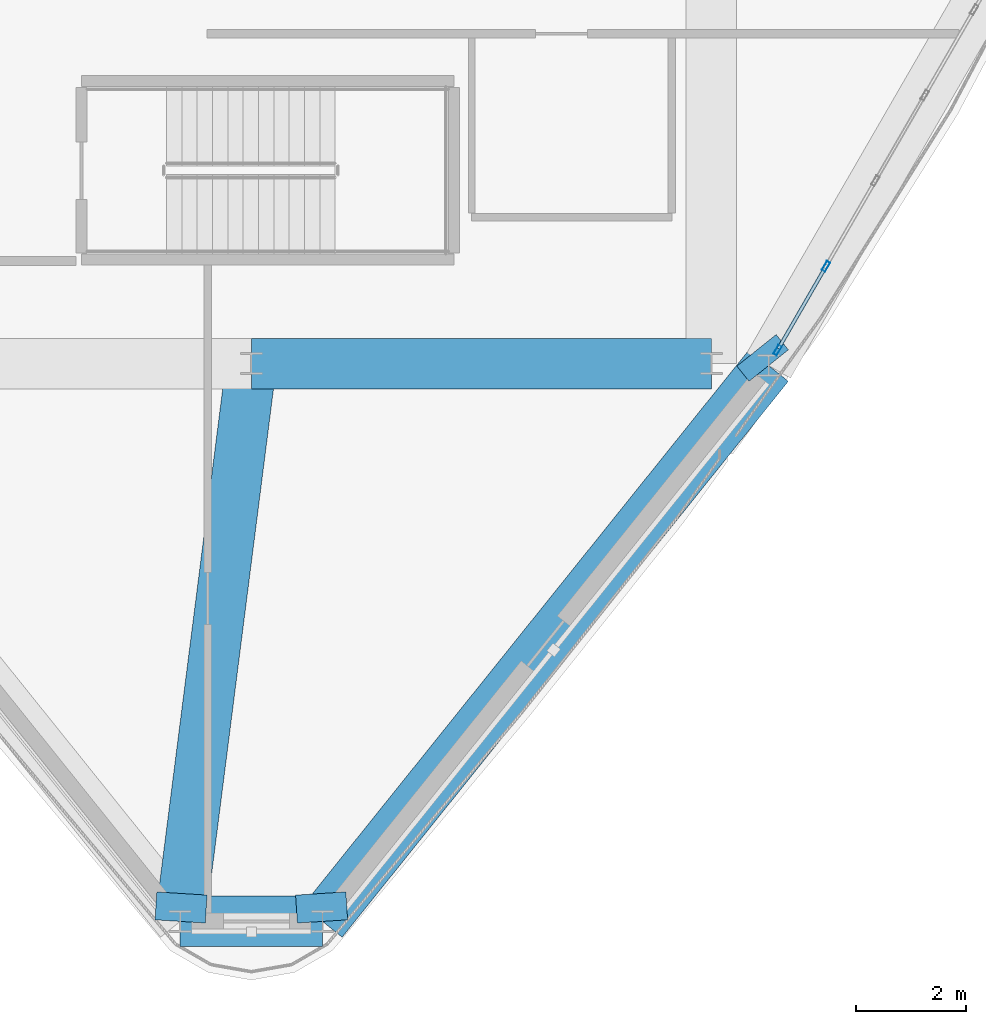
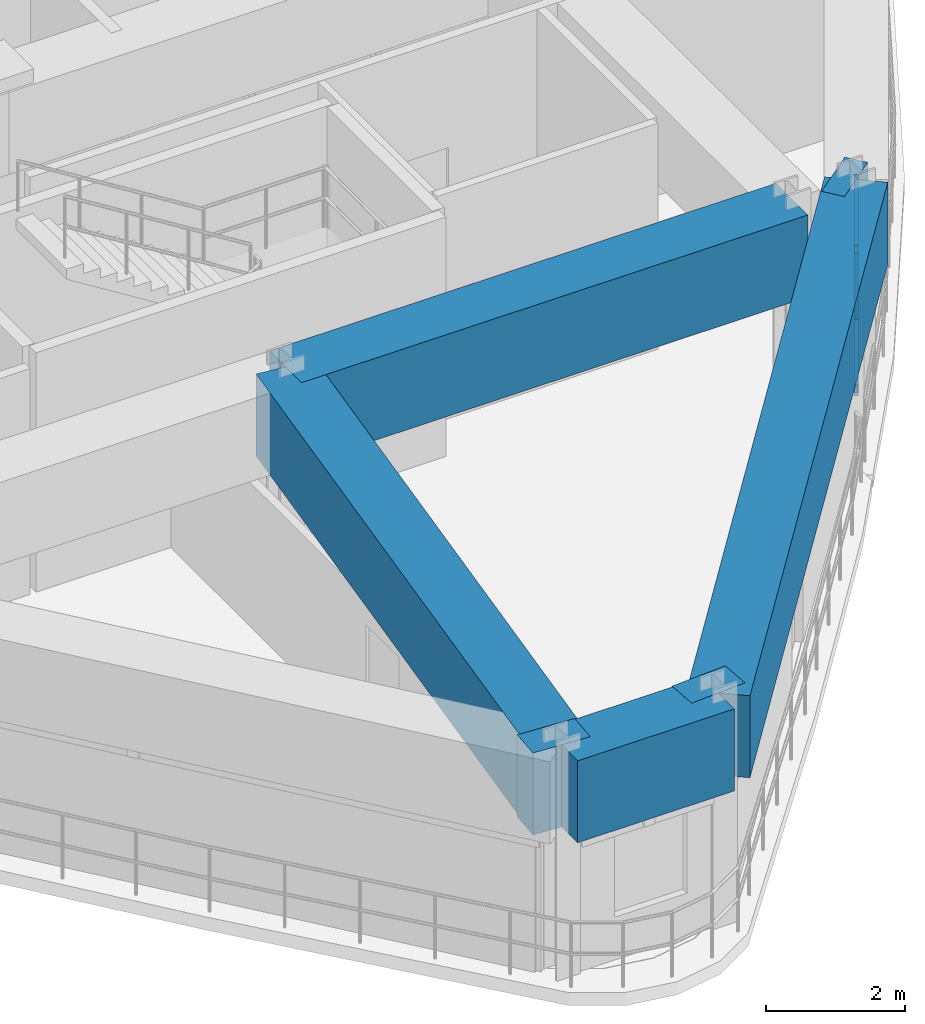
# One storey, part 3 of 18: 7 beams, 4 members, 1 element without a shape of its own.
"""IFC4 building model written with IfcOpenShell, lengths in metres."""

from ifc_helpers import new_model, si_unit, derived_unit, direction, frame, origin, origin_2d, place, context, subcontext, project, spatial, rectangle, hollow_rectangle, extrude, source, transform, mapped, material, layer, layer_set, material_profile, profile_set, type_object, element, aggregate, save


model = new_model("IFC4")

# Units and contexts
model_context = context("Model", 3, precision=1e-05, world=origin(), true_north=direction((0.0, 1.0)))
body_context = subcontext(model_context, "Body", "Model", "MODEL_VIEW")
ifc_project = project(units=[si_unit("LENGTHUNIT", "METRE"), si_unit("AREAUNIT", "SQUARE_METRE"), si_unit("VOLUMEUNIT", "CUBIC_METRE"), si_unit("PLANEANGLEUNIT", "RADIAN"), si_unit("MASSUNIT", "GRAM", prefix="KILO"), derived_unit("THERMALTRANSMITTANCEUNIT", [(si_unit("POWERUNIT", "WATT"), 1), (si_unit("LENGTHUNIT", "METRE"), -2), (si_unit("THERMODYNAMICTEMPERATUREUNIT", "KELVIN"), -1)])], contexts=[model_context])

# Site, building, storey
site_placement = place(None, origin())
site = spatial("IfcSite", under=ifc_project, at=site_placement, CompositionType="ELEMENT")
building_placement = place(site_placement, origin())
building = spatial("IfcBuilding", under=site, at=building_placement, Name="Korsvarv Bourse and Concert Hall", CompositionType="ELEMENT")
storey_placement = place(building_placement, frame((0.0, 0.0, 275.39990234375)))
storey = spatial("IfcBuildingStorey", under=building, at=storey_placement, Name="L72", CompositionType="ELEMENT", Elevation=275.39990234375)

# Beams
ifc_material_1 = material(Name="Concrete C50/60", Category="concrete")
ifc_material_profile_1 = material_profile(ifc_material_1, rectangle(XDim=0.919921875, YDim=1.43994140625, at=origin_2d()), Name="RC-BM 920x1440")
ifc_profile_set_1 = profile_set([ifc_material_profile_1], Name="Concrete C50/60")
beam_type = type_object("IfcBeamType", Name="BM-TR-144", PredefinedType="BEAM", material=ifc_profile_set_1)
shared_shape_1 = source(origin(), body_context, "Body", "SweptSolid", [
    extrude(rectangle(XDim=0.919921875, YDim=1.43994140625, at=origin_2d()), origin(), (0.0, 0.0, 1.0), 8.39990234375),
])
beam_1_placement = place(storey_placement, frame((36.0, 24.0, 3.239990234375), z_axis=(1.0, 0.0, 0.0), x_axis=(0.0, 1.0, 0.0)))
element("IfcBeam", 1, at=beam_1_placement, inside=storey, type_object=beam_type, Name="L72 beam B-TR4", PredefinedType="BEAM", context=body_context, shape_type="MappedRepresentation", body=[
    mapped(shared_shape_1, transform((0.0, 0.0, 0.0), scale=1.0)),
])
shared_shape_2 = source(origin(), body_context, "Body", "SweptSolid", [
    extrude(rectangle(XDim=0.919921875, YDim=1.43994140625, at=origin_2d()), origin(), (0.0, 0.0, 1.0), 2.5986328125),
])
beam_2_placement = place(storey_placement, frame((34.70068359375, 13.81396484375, 3.239990234375), z_axis=(1.0, 0.0, 0.0), x_axis=(0.0, 1.0, 0.0)))
element("IfcBeam", 2, at=beam_2_placement, inside=storey, type_object=beam_type, Name="L72 beam B-TR4", PredefinedType="BEAM", context=body_context, shape_type="MappedRepresentation", body=[
    mapped(shared_shape_2, transform((0.0, 0.0, 0.0), scale=1.0)),
])
shared_shape_3 = source(origin(), body_context, "Body", "SweptSolid", [
    extrude(rectangle(XDim=0.919921875, YDim=1.43994140625, at=origin_2d()), origin(), (0.0, 0.0, 1.0), 13.0166015625),
])
beam_3_placement = place(storey_placement, frame((37.29931640625, 13.81396484375, 3.239990234375), z_axis=(0.626002520794, 0.779821033289, 0.0), x_axis=(-0.779821033289, 0.626002520794, 0.0)))
element("IfcBeam", 3, at=beam_3_placement, inside=storey, type_object=beam_type, Name="L72 beam B-TR4", PredefinedType="BEAM", context=body_context, shape_type="MappedRepresentation", body=[
    mapped(shared_shape_3, transform((0.0, 0.0, 0.0), scale=1.0)),
])
shared_shape_4 = source(origin(), body_context, "Body", "SweptSolid", [
    extrude(rectangle(XDim=0.919921875, YDim=1.43994140625, at=origin_2d()), origin(), (0.0, 0.0, 1.0), 10.2685546875),
])
beam_4_placement = place(storey_placement, frame((34.70068359375, 13.81396484375, 3.239990234375), z_axis=(0.126533331561, 0.991962356143, 0.0), x_axis=(-0.991962356143, 0.126533331561, 0.0)))
element("IfcBeam", 4, at=beam_4_placement, inside=storey, type_object=beam_type, Name="L72 beam B-TR4", PredefinedType="BEAM", context=body_context, shape_type="MappedRepresentation", body=[
    mapped(shared_shape_4, transform((0.0, 0.0, 0.0), scale=1.0)),
])
shared_shape_5 = source(origin(), body_context, "Body", "SweptSolid", [
    extrude(rectangle(XDim=0.919921875, YDim=1.43994140625, at=origin_2d()), origin(), (0.0, 0.0, 1.0), 0.510498046875),
])
for number, where, z_axis, x_axis, name in (
    (5, (34.70068359375, 13.81396484375, 3.239990234375), (0.063122550743, 0.998005783344, 0.0), (-0.998005783344, 0.063122550743, 0.0), "L72 beam B-TR4"),
    (6, (37.29931640625, 13.81396484375, 3.239990234375), (-0.063122550743, 0.998005783344, 0.0), (-0.998005783344, -0.063122550743, 0.0), "L72 beam B-TR4"),
):
    element("IfcBeam", number, at=place(storey_placement, frame(where, z_axis=z_axis, x_axis=x_axis)), inside=storey, type_object=beam_type, Name=name, PredefinedType="BEAM", context=body_context, shape_type="MappedRepresentation", body=[
        mapped(shared_shape_5, transform((0.0, 0.0, 0.0), scale=1.0)),
    ])
shared_shape_6 = source(origin(), body_context, "Body", "SweptSolid", [
    extrude(rectangle(XDim=0.919921875, YDim=1.43994140625, at=origin_2d()), origin(), (0.0, 0.0, 1.0), 0.356201171875),
])
beam_5_placement = place(storey_placement, frame((45.44775390625, 23.964599609375, 3.239990234375), z_axis=(-0.625029302082, 0.780601288456, 0.0), x_axis=(-0.780601288456, -0.625029302082, 0.0)))
element("IfcBeam", 7, at=beam_5_placement, inside=storey, type_object=beam_type, Name="L72 beam B-TR4", PredefinedType="BEAM", context=body_context, shape_type="MappedRepresentation", body=[
    mapped(shared_shape_6, transform((0.0, 0.0, 0.0), scale=1.0)),
])

# Curtain wall, members
ifc_material_2 = material(Name="Anodised aluminium and triple low-E glazing", Category="glass")
ifc_layer = layer(ifc_material_2, 0.18994140625)
ifc_layer_set = layer_set([ifc_layer], Name="Anodised aluminium and triple low-E glazing")
curtain_wall_type = type_object("IfcCurtainWallType", Name="CW-SYS-4", PredefinedType="NOTDEFINED", material=ifc_layer_set)
curtain_wall_placement = place(storey_placement, origin())
curtain_wall = element("IfcCurtainWall", 8, at=curtain_wall_placement, inside=storey, type_object=curtain_wall_type, Name="L72 CW4 curtain wall CW-L72-F11", PredefinedType="NOTDEFINED")
ifc_material_3 = material(Name="Extruded aluminium EN AW-6063 T66", Category="aluminium")
ifc_material_profile_2 = material_profile(ifc_material_3, hollow_rectangle(XDim=0.070068359375, YDim=0.18994140625, WallThickness=0.0048828125, at=origin_2d()), Name="ALU-M 70x190")
ifc_profile_set_2 = profile_set([ifc_material_profile_2], Name="Extruded aluminium EN AW-6063 T66")
member_type_1 = type_object("IfcMemberType", Name="CWM-190", PredefinedType="MULLION", material=ifc_profile_set_2)
shared_shape_7 = source(origin(), body_context, "Body", "SweptSolid", [
    extrude(hollow_rectangle(XDim=0.070068359375, YDim=0.18994140625, WallThickness=0.0048828125, at=origin_2d()), origin(), (0.0, 0.0, 1.0), 2.52001953125),
])
member_1_placement = place(storey_placement, frame((45.609375, 24.244384765625, 0.0), z_axis=(0.0, 0.0, 1.0), x_axis=(-0.866023090804, 0.500004006179, 0.0)))
member_1 = element("IfcMember", 9, at=member_1_placement, type_object=member_type_1, Name="CW4 mullion 1", PredefinedType="MULLION", context=body_context, shape_type="MappedRepresentation", body=[
    mapped(shared_shape_7, transform((0.0, 0.0, 0.0), scale=1.0)),
])
member_2_placement = place(storey_placement, frame((46.49365234375, 25.776123046875, 0.0), z_axis=(0.0, 0.0, 1.0), x_axis=(-0.866023090804, 0.500004006179, 0.0)))
member_2 = element("IfcMember", 10, at=member_2_placement, type_object=member_type_1, Name="CW4 mullion 2", PredefinedType="MULLION", context=body_context, shape_type="MappedRepresentation", body=[
    mapped(shared_shape_7, transform((0.0, 0.0, 0.0), scale=1.0)),
])
ifc_material_profile_3 = material_profile(ifc_material_3, hollow_rectangle(XDim=0.06494140625, YDim=0.139892578125, WallThickness=0.00390625, at=origin_2d()), Name="ALU-T 65x140")
ifc_profile_set_3 = profile_set([ifc_material_profile_3], Name="Extruded aluminium EN AW-6063 T66")
member_type_2 = type_object("IfcMemberType", Name="CWT-140", PredefinedType="USERDEFINED", material=ifc_profile_set_3)
shared_shape_8 = source(origin(), body_context, "Body", "SweptSolid", [
    extrude(hollow_rectangle(XDim=0.06494140625, YDim=0.139892578125, WallThickness=0.00390625, at=origin_2d()), origin(), (0.0, 0.0, 1.0), 1.698486328125),
])
member_3_placement = place(storey_placement, frame((45.626708984375, 24.274658203125, 0.03271484375), z_axis=(0.500050086259, 0.865996484538, 0.0), x_axis=(-0.865996484538, 0.500050086259, 0.0)))
member_3 = element("IfcMember", 11, at=member_3_placement, type_object=member_type_2, Name="CW4 transom 1.1", ObjectType="TRANSOM", PredefinedType="USERDEFINED", context=body_context, shape_type="MappedRepresentation", body=[
    mapped(shared_shape_8, transform((0.0, 0.0, 0.0), scale=1.0)),
])
member_4_placement = place(storey_placement, frame((45.626708984375, 24.274658203125, 2.487548828125), z_axis=(0.500050086259, 0.865996484538, 0.0), x_axis=(-0.865996484538, 0.500050086259, 0.0)))
member_4 = element("IfcMember", 12, at=member_4_placement, type_object=member_type_2, Name="CW4 transom 1.2", ObjectType="TRANSOM", PredefinedType="USERDEFINED", context=body_context, shape_type="MappedRepresentation", body=[
    mapped(shared_shape_8, transform((0.0, 0.0, 0.0), scale=1.0)),
])
aggregate(curtain_wall, [member_1, member_2, member_3, member_4])

save(model, "model.ifc")
